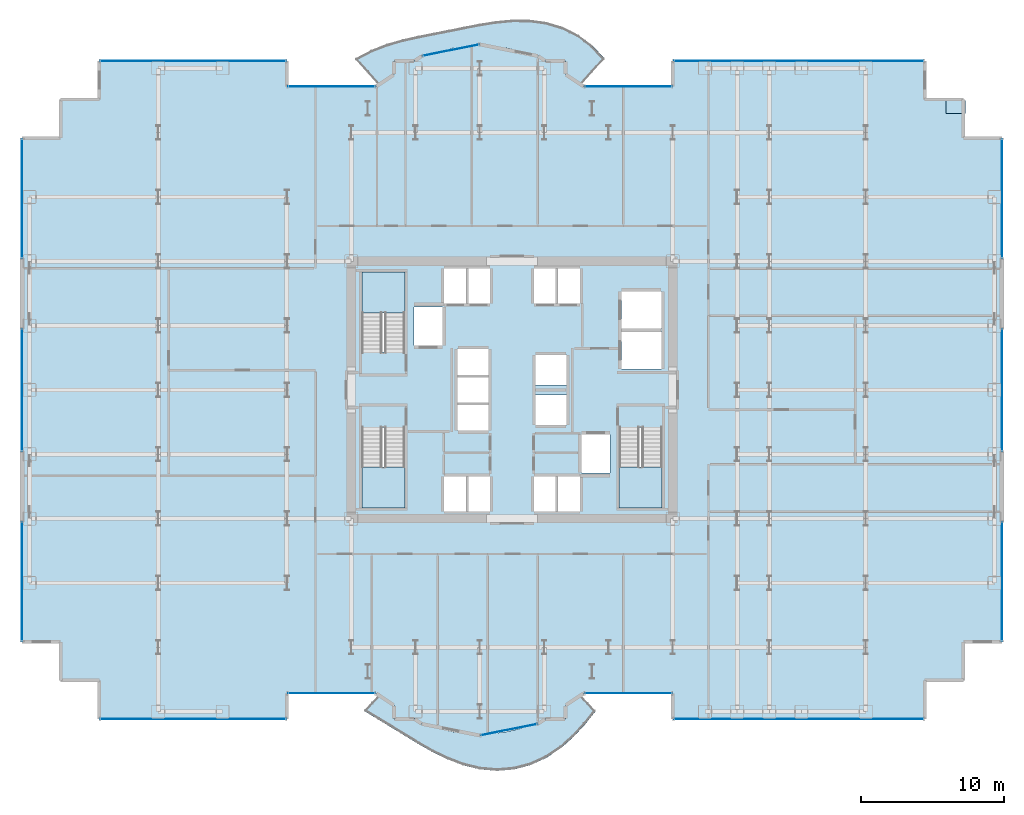
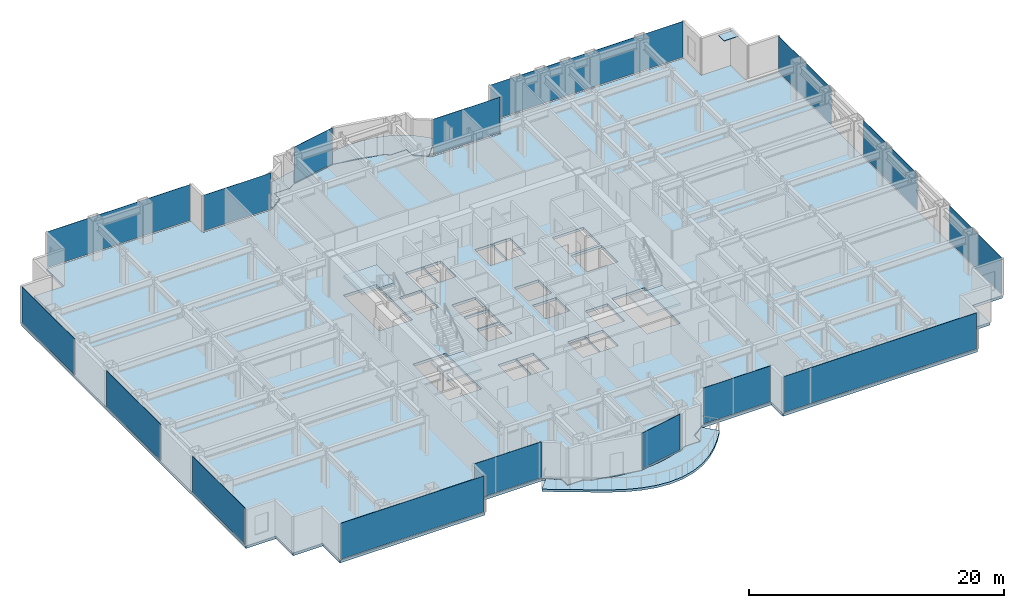
# One storey, part 20 of 29: 17 plates, 6 slabs, 19 elements without a shape of their own.
"""IFC4 building model written with IfcOpenShell, lengths in metres."""

from ifc_helpers import new_model, si_unit, direction, frame, origin, origin_2d, place, context, subcontext, project, spatial, polyline, rectangle, outline, extrude, source, transform, mapped, material, layer, layer_set, type_object, element, aggregate, save


model = new_model("IFC4")

# Units and contexts
model_context = context("Model", 3, precision=1e-05, world=origin(), true_north=direction((0.0, 1.0)))
body_context = subcontext(model_context, "Body", "Model", "MODEL_VIEW")
ifc_project = project(units=[si_unit("LENGTHUNIT", "METRE"), si_unit("AREAUNIT", "SQUARE_METRE"), si_unit("VOLUMEUNIT", "CUBIC_METRE"), si_unit("PLANEANGLEUNIT", "RADIAN"), si_unit("MASSUNIT", "GRAM", prefix="KILO")], contexts=[model_context])

# Site, building, storey
site_placement = place(None, origin())
site = spatial("IfcSite", under=ifc_project, at=site_placement, CompositionType="ELEMENT")
building_placement = place(site_placement, origin())
building = spatial("IfcBuilding", under=site, at=building_placement, Name="Nefas-Gora Pilgrimage Tower", CompositionType="ELEMENT")
storey_placement = place(building_placement, frame((0.0, 0.0, 55.800048828125)))
storey = spatial("IfcBuildingStorey", under=building, at=storey_placement, Name="L12", CompositionType="ELEMENT", Elevation=55.800048828125)

# Slabs
ifc_material_1 = material(Name="Concrete C40/50", Category="concrete")
ifc_layer_1 = layer(ifc_material_1, 0.22509765625)
ifc_layer_set_1 = layer_set([ifc_layer_1], Name="Concrete C40/50")
slab_type_1 = type_object("IfcSlabType", Name="SLB-BAL-P1", PredefinedType="FLOOR", material=ifc_layer_set_1)
slab_1_placement = place(storey_placement, frame((0.0, 0.0, -0.22509765625)))
element("IfcSlab", 1, at=slab_1_placement, inside=storey, type_object=slab_type_1, Name="L12 Sinusoidal Lobe Balcony Slab N (Phase 1)", PredefinedType="FLOOR", context=body_context, shape_type="SweptSolid", body=[
    extrude(outline(polyline([(-9.28759765625, 21.385986328125), (-9.224609375, 21.427978515625), (-8.538330078125, 21.9912109375), (-8.260009765625, 22.179931640625), (-8.260009765625, 23.02001953125), (-8.260009765625, 23.02099609375), (-8.259765625, 23.02197265625), (-8.259521484375, 23.02294921875), (-8.25927734375, 23.023681640625), (-8.2587890625, 23.024658203125), (-8.25830078125, 23.025634765625), (-8.2578125, 23.0263671875), (-8.257080078125, 23.027099609375), (-8.25634765625, 23.027587890625), (-8.255615234375, 23.0283203125), (-8.254638671875, 23.02880859375), (-8.25390625, 23.029296875), (-8.2529296875, 23.029541015625), (-8.251953125, 23.02978515625), (-8.2509765625, 23.030029296875), (-8.25, 23.030029296875), (-6.8271484375, 23.030029296875), (-6.31298828125, 23.37353515625), (-6.31201171875, 23.3740234375), (-6.311279296875, 23.37451171875), (-6.310302734375, 23.375), (-6.309326171875, 23.375), (-5.63037109375, 23.51025390625), (-5.102783203125, 23.685302734375), (-4.165283203125, 23.904052734375), (-3.211669921875, 24.035888671875), (-2.919921875, 24.04931640625), (-2.251953125, 24.18212890625), (-2.2509765625, 24.182373046875), (-2.25, 24.182373046875), (-2.2490234375, 24.182373046875), (-2.248046875, 24.18212890625), (-1.580078125, 24.04931640625), (-1.288330078125, 24.035888671875), (-0.334716796875, 23.904052734375), (0.602783203125, 23.685302734375), (1.13037109375, 23.51025390625), (1.809326171875, 23.375), (1.810302734375, 23.375), (1.811279296875, 23.37451171875), (1.81201171875, 23.3740234375), (1.81298828125, 23.37353515625), (2.3271484375, 23.030029296875), (3.75, 23.030029296875), (3.7509765625, 23.030029296875), (3.751953125, 23.02978515625), (3.7529296875, 23.029541015625), (3.75390625, 23.029296875), (3.754638671875, 23.02880859375), (3.755615234375, 23.0283203125), (3.75634765625, 23.027587890625), (3.757080078125, 23.027099609375), (3.7578125, 23.0263671875), (3.75830078125, 23.025634765625), (3.7587890625, 23.024658203125), (3.75927734375, 23.023681640625), (3.759521484375, 23.02294921875), (3.759765625, 23.02197265625), (3.760009765625, 23.02099609375), (3.760009765625, 23.02001953125), (3.760009765625, 22.179931640625), (4.038330078125, 21.9912109375), (4.724609375, 21.427978515625), (4.78759765625, 21.385986328125), (6.4453125, 23.22705078125), (5.615234375, 24.102783203125), (4.64697265625, 24.82470703125), (3.56640625, 25.364501953125), (2.41064453125, 25.711181640625), (1.22021484375, 25.87451171875), (0.031982421875, 25.882080078125), (-1.128662109375, 25.7744140625), (-2.25, 25.595947265625), (-3.335693359375, 25.38671875), (-4.400634765625, 25.17333984375), (-5.463623046875, 24.964599609375), (-6.54150390625, 24.749755859375), (-7.64111328125, 24.502197265625), (-8.754638671875, 24.184814453125), (-9.85888671875, 23.759521484375), (-10.916748046875, 23.1953125), (-9.28759765625, 21.385986328125)])), origin(), (0.0, 0.0, 1.0), 0.22509765625),
])
ifc_layer_2 = layer(ifc_material_1, 0.22998046875)
ifc_layer_set_2 = layer_set([ifc_layer_2], Name="Concrete C40/50")
slab_type_2 = type_object("IfcSlabType", Name="SLB-BAL-P5", PredefinedType="FLOOR", material=ifc_layer_set_2)
slab_2_placement = place(storey_placement, frame((0.0, 0.0, -0.22998046875)))
element("IfcSlab", 2, at=slab_2_placement, inside=storey, type_object=slab_type_2, Name="L12 Sinusoidal Lobe Balcony Slab S (Phase 5)", PredefinedType="FLOOR", context=body_context, shape_type="SweptSolid", body=[
    extrude(outline(polyline([(4.78759765625, -21.385986328125), (4.724609375, -21.427978515625), (4.038330078125, -21.9912109375), (3.760009765625, -22.179931640625), (3.760009765625, -23.02001953125), (3.760009765625, -23.02099609375), (3.759765625, -23.02197265625), (3.759521484375, -23.02294921875), (3.75927734375, -23.023681640625), (3.7587890625, -23.024658203125), (3.75830078125, -23.025634765625), (3.7578125, -23.0263671875), (3.757080078125, -23.027099609375), (3.75634765625, -23.027587890625), (3.755615234375, -23.0283203125), (3.754638671875, -23.02880859375), (3.75390625, -23.029296875), (3.7529296875, -23.029541015625), (3.751953125, -23.02978515625), (3.7509765625, -23.030029296875), (3.75, -23.030029296875), (2.3271484375, -23.030029296875), (1.81298828125, -23.37353515625), (1.81201171875, -23.3740234375), (1.811279296875, -23.37451171875), (1.810302734375, -23.375), (1.809326171875, -23.375), (1.13037109375, -23.51025390625), (0.602783203125, -23.685302734375), (-0.334716796875, -23.904052734375), (-1.288330078125, -24.035888671875), (-1.580078125, -24.04931640625), (-2.248046875, -24.18212890625), (-2.2490234375, -24.182373046875), (-2.25, -24.182373046875), (-2.2509765625, -24.182373046875), (-2.251953125, -24.18212890625), (-2.919921875, -24.04931640625), (-3.211669921875, -24.035888671875), (-4.165283203125, -23.904052734375), (-5.102783203125, -23.685302734375), (-5.63037109375, -23.51025390625), (-6.309326171875, -23.375), (-6.310302734375, -23.375), (-6.311279296875, -23.37451171875), (-6.31201171875, -23.3740234375), (-6.31298828125, -23.37353515625), (-6.8271484375, -23.030029296875), (-8.25, -23.030029296875), (-8.2509765625, -23.030029296875), (-8.251953125, -23.02978515625), (-8.2529296875, -23.029541015625), (-8.25390625, -23.029296875), (-8.254638671875, -23.02880859375), (-8.255615234375, -23.0283203125), (-8.25634765625, -23.027587890625), (-8.257080078125, -23.027099609375), (-8.2578125, -23.0263671875), (-8.25830078125, -23.025634765625), (-8.2587890625, -23.024658203125), (-8.25927734375, -23.023681640625), (-8.259521484375, -23.02294921875), (-8.259765625, -23.02197265625), (-8.260009765625, -23.02099609375), (-8.260009765625, -23.02001953125), (-8.260009765625, -22.179931640625), (-8.538330078125, -21.9912109375), (-9.224609375, -21.427978515625), (-9.28759765625, -21.385986328125), (-10.282958984375, -22.491455078125), (-9.343017578125, -23.068603515625), (-8.41552734375, -23.631103515625), (-7.49072265625, -24.197265625), (-6.548583984375, -24.768310546875), (-5.56591796875, -25.326904296875), (-4.52392578125, -25.83935546875), (-3.416015625, -26.2607421875), (-2.25, -26.5439453125), (-1.04833984375, -26.6484375), (0.1552734375, -26.548095703125), (1.322509765625, -26.23681640625), (2.417724609375, -25.729736328125), (3.416015625, -25.059814453125), (4.307861328125, -24.271240234375), (5.099365234375, -23.412109375), (5.8115234375, -22.523193359375), (4.78759765625, -21.385986328125)])), origin(), (0.0, 0.0, 1.0), 0.22998046875),
])
ifc_layer_3 = layer(ifc_material_1, 0.25)
ifc_layer_set_3 = layer_set([ifc_layer_3], Name="Concrete C40/50")
slab_type_3 = type_object("IfcSlabType", Name="SLB-TWR-250", PredefinedType="FLOOR", material=ifc_layer_set_3)
slab_3_placement = place(storey_placement, frame((0.0, 0.0, -0.25)))
element("IfcSlab", 3, at=slab_3_placement, inside=storey, type_object=slab_type_3, Name="L12 Structural Floor Slab", PredefinedType="FLOOR", context=body_context, shape_type="SweptSolid", body=[
    extrude(outline(polyline([(5.01806640625, -21.219970703125), (11.25, -21.219970703125), (11.25, -23.02001953125), (28.8701171875, -23.02001953125), (28.8701171875, -20.320068359375), (31.570068359375, -20.320068359375), (31.570068359375, -17.6201171875), (34.27001953125, -17.6201171875), (34.27001953125, 17.6201171875), (31.570068359375, 17.6201171875), (31.570068359375, 20.320068359375), (28.8701171875, 20.320068359375), (28.8701171875, 23.02001953125), (11.25, 23.02001953125), (11.25, 21.219970703125), (5.01806640625, 21.219970703125), (3.75, 22.0673828125), (3.75, 23.02001953125), (2.32421875, 23.02001953125), (1.807373046875, 23.365234375), (-2.25, 24.17236328125), (-6.307373046875, 23.365234375), (-6.82421875, 23.02001953125), (-8.25, 23.02001953125), (-8.25, 22.0673828125), (-9.51806640625, 21.219970703125), (-15.75, 21.219970703125), (-15.75, 23.02001953125), (-28.8701171875, 23.02001953125), (-28.8701171875, 20.320068359375), (-31.570068359375, 20.320068359375), (-31.570068359375, 17.6201171875), (-34.27001953125, 17.6201171875), (-34.27001953125, -17.6201171875), (-31.570068359375, -17.6201171875), (-31.570068359375, -20.320068359375), (-28.8701171875, -20.320068359375), (-28.8701171875, -23.02001953125), (-15.75, -23.02001953125), (-15.75, -21.219970703125), (-9.51806640625, -21.219970703125), (-8.25, -22.0673828125), (-8.25, -23.02001953125), (-6.82421875, -23.02001953125), (-6.307373046875, -23.365234375), (-2.25, -24.17236328125), (1.807373046875, -23.365234375), (2.32421875, -23.02001953125), (3.75, -23.02001953125), (3.75, -22.0673828125), (5.01806640625, -21.219970703125)]), holes=[polyline([(-10.5, 2.639892578125), (-10.5, 8.25), (-7.5, 8.25), (-7.5, 2.639892578125), (-10.5, 2.639892578125)]), polyline([(10.5, -2.639892578125), (10.5, -8.25), (7.5, -8.25), (7.5, -2.639892578125), (10.5, -2.639892578125)]), polyline([(-7.5, -2.639892578125), (-7.5, -8.25), (-10.5, -8.25), (-10.5, -2.639892578125), (-7.5, -2.639892578125)]), polyline([(-6.85009765625, 5.800048828125), (-4.85009765625, 5.800048828125), (-4.85009765625, 3.10009765625), (-6.85009765625, 3.10009765625), (-6.85009765625, 5.800048828125)]), polyline([(4.85009765625, -3.10009765625), (6.85009765625, -3.10009765625), (6.85009765625, -5.800048828125), (4.85009765625, -5.800048828125), (4.85009765625, -3.10009765625)]), polyline([(7.64990234375, 4.050048828125), (10.449951171875, 4.050048828125), (10.449951171875, 1.449951171875), (7.64990234375, 1.449951171875), (7.64990234375, 4.050048828125)]), polyline([(7.64990234375, 6.89990234375), (10.449951171875, 6.89990234375), (10.449951171875, 4.300048828125), (7.64990234375, 4.300048828125), (7.64990234375, 6.89990234375)]), polyline([(-4.75, 8.5), (-3.14990234375, 8.5), (-3.14990234375, 6.050048828125), (-4.75, 6.050048828125), (-4.75, 8.5)]), polyline([(-3.10009765625, 8.5), (-1.550048828125, 8.5), (-1.550048828125, 6.050048828125), (-3.10009765625, 6.050048828125), (-3.10009765625, 8.5)]), polyline([(1.550048828125, 8.5), (3.10009765625, 8.5), (3.10009765625, 6.050048828125), (1.550048828125, 6.050048828125), (1.550048828125, 8.5)]), polyline([(3.14990234375, 8.5), (4.75, 8.5), (4.75, 6.050048828125), (3.14990234375, 6.050048828125), (3.14990234375, 8.5)]), polyline([(-4.75, -6.050048828125), (-3.14990234375, -6.050048828125), (-3.14990234375, -8.5), (-4.75, -8.5), (-4.75, -6.050048828125)]), polyline([(-3.10009765625, -6.050048828125), (-1.550048828125, -6.050048828125), (-1.550048828125, -8.5), (-3.10009765625, -8.5), (-3.10009765625, -6.050048828125)]), polyline([(1.550048828125, -6.050048828125), (3.10009765625, -6.050048828125), (3.10009765625, -8.5), (1.550048828125, -8.5), (1.550048828125, -6.050048828125)]), polyline([(3.14990234375, -6.050048828125), (4.75, -6.050048828125), (4.75, -8.5), (3.14990234375, -8.5), (3.14990234375, -6.050048828125)]), polyline([(-3.800048828125, -1.050048828125), (-1.64990234375, -1.050048828125), (-1.64990234375, -2.85009765625), (-3.800048828125, -2.85009765625), (-3.800048828125, -1.050048828125)]), polyline([(-3.800048828125, 0.89990234375), (-1.64990234375, 0.89990234375), (-1.64990234375, -0.89990234375), (-3.800048828125, -0.89990234375), (-3.800048828125, 0.89990234375)]), polyline([(-3.800048828125, 2.85009765625), (-1.64990234375, 2.85009765625), (-1.64990234375, 1.050048828125), (-3.800048828125, 1.050048828125), (-3.800048828125, 2.85009765625)]), polyline([(1.64990234375, -0.35009765625), (3.800048828125, -0.35009765625), (3.800048828125, -2.449951171875), (1.64990234375, -2.449951171875), (1.64990234375, -0.35009765625)]), polyline([(1.64990234375, 2.449951171875), (3.800048828125, 2.449951171875), (3.800048828125, 0.35009765625), (1.64990234375, 0.35009765625), (1.64990234375, 2.449951171875)])]), origin(), (0.0, 0.0, 1.0), 0.25),
])

# Stair, slab
ifc_material_2 = material(Name="Concrete C45/55", Category="concrete")
stair_type = type_object("IfcStairType", Name="STR-1400-R1727", PredefinedType="HALF_TURN_STAIR", material=ifc_material_2)
stair_1_placement = place(storey_placement, origin())
stair_1 = element("IfcStair", 4, at=stair_1_placement, inside=storey, type_object=stair_type, Name="L12 Pressurised Tower Exit Stair ST-01", PredefinedType="HALF_TURN_STAIR")
ifc_layer_4 = layer(ifc_material_1, 0.199951171875)
ifc_layer_set_4 = layer_set([ifc_layer_4], Name="Concrete C40/50")
slab_type_4 = type_object("IfcSlabType", Name="STR-LAND-200", PredefinedType="LANDING", material=ifc_layer_set_4)
slab_4_placement = place(storey_placement, frame((0.0, 0.0, 1.699951171875)))
slab_4 = element("IfcSlab", 5, at=slab_4_placement, type_object=slab_type_4, Name="ST-01 landing 1", PredefinedType="LANDING", context=body_context, shape_type="SweptSolid", body=[
    extrude(outline(polyline([(-7.5, 5.39990234375), (-7.5, 8.25), (-10.5, 8.25), (-10.5, 5.39990234375), (-7.5, 5.39990234375)])), origin(), (0.0, 0.0, 1.0), 0.199951171875),
])
aggregate(stair_1, [slab_4])

stair_2_placement = place(storey_placement, origin())
stair_2 = element("IfcStair", 6, at=stair_2_placement, inside=storey, type_object=stair_type, Name="L12 Pressurised Tower Exit Stair ST-02", PredefinedType="HALF_TURN_STAIR")
slab_5_placement = place(storey_placement, frame((0.0, 0.0, 1.699951171875)))
slab_5 = element("IfcSlab", 7, at=slab_5_placement, type_object=slab_type_4, Name="ST-02 landing 1", PredefinedType="LANDING", context=body_context, shape_type="SweptSolid", body=[
    extrude(outline(polyline([(7.5, -5.39990234375), (7.5, -8.25), (10.5, -8.25), (10.5, -5.39990234375), (7.5, -5.39990234375)])), origin(), (0.0, 0.0, 1.0), 0.199951171875),
])
aggregate(stair_2, [slab_5])

stair_3_placement = place(storey_placement, origin())
stair_3 = element("IfcStair", 8, at=stair_3_placement, inside=storey, type_object=stair_type, Name="L12 Pressurised Tower Exit Stair ST-03", PredefinedType="HALF_TURN_STAIR")
slab_6_placement = place(storey_placement, frame((0.0, 0.0, 1.699951171875)))
slab_6 = element("IfcSlab", 9, at=slab_6_placement, type_object=slab_type_4, Name="ST-03 landing 1", PredefinedType="LANDING", context=body_context, shape_type="SweptSolid", body=[
    extrude(outline(polyline([(-10.5, -5.39990234375), (-10.5, -8.25), (-7.5, -8.25), (-7.5, -5.39990234375), (-10.5, -5.39990234375)])), origin(), (0.0, 0.0, 1.0), 0.199951171875),
])
aggregate(stair_3, [slab_6])

# Plate
ifc_material_3 = material(Name="Steel S355", Category="steel")
ifc_layer_5 = layer(ifc_material_3, 0.053955078125)
ifc_layer_set_5 = layer_set([ifc_layer_5], Name="Steel S355")
plate_type_1 = type_object("IfcPlateType", Name="PLT-NODE-N10", PredefinedType="USERDEFINED", material=ifc_layer_set_5)
shared_shape_1 = source(origin(), body_context, "Body", "SweptSolid", [
    extrude(rectangle(XDim=1.35009765625, YDim=0.89990234375, at=origin_2d()), origin(), (0.0, 0.0, 1.0), 0.0419921875),
])
plate_1_placement = place(storey_placement, frame((31.050048828125, 19.800048828125, 3.279052734375), z_axis=(0.0, 0.0, 1.0), x_axis=(1.0, 0.0, 0.0)))
element("IfcPlate", 10, at=plate_1_placement, inside=storey, type_object=plate_type_1, Name="Structural Node Gusset Plate N10 (L12)", ObjectType="GUSSET_PLATE", PredefinedType="USERDEFINED", context=body_context, shape_type="MappedRepresentation", body=[
    mapped(shared_shape_1, transform((0.0, 0.0, 0.0), x_axis=(1.0, 0.0, 0.0), y_axis=(0.0, 1.0, 0.0), z_axis=(0.0, 0.0, 1.0), scale=1.0)),
])

# Curtain wall, plate
ifc_material_4 = material(Name="Dark ceramic-fritted solar-control aluminium-glass curtain wall", Category="aluminium")
ifc_layer_6 = layer(ifc_material_4, 0.219970703125)
ifc_layer_set_6 = layer_set([ifc_layer_6], Name="Dark ceramic-fritted solar-control aluminium-glass curtain wall")
curtain_wall_type_1 = type_object("IfcCurtainWallType", Name="CW-SYS-5", PredefinedType="NOTDEFINED", material=ifc_layer_set_6)
curtain_wall_1_placement = place(storey_placement, origin())
curtain_wall_1 = element("IfcCurtainWall", 11, at=curtain_wall_1_placement, inside=storey, type_object=curtain_wall_type_1, Name="L12 Unitised Curtain Wall CW5", PredefinedType="NOTDEFINED")
ifc_material_5 = material(Name="Dark ceramic-printed low-e insulated glass", Category="glass")
ifc_layer_7 = layer(ifc_material_5, 0.028076171875)
ifc_layer_set_7 = layer_set([ifc_layer_7], Name="Dark ceramic-printed low-e insulated glass")
plate_type_2 = type_object("IfcPlateType", Name="CWP-PNL-5", PredefinedType="CURTAIN_PANEL", material=ifc_layer_set_7)
shared_shape_2 = source(origin(), body_context, "Body", "SweptSolid", [
    extrude(rectangle(XDim=6.052001953125, YDim=0.028076171875, at=origin_2d()), origin(), (0.0, 0.0, 1.0), 3.43994140625),
])
plate_2_placement = place(storey_placement, frame((8.134033203125, -21.219970703125, 0.10009765625), z_axis=(0.0, 0.0, 1.0), x_axis=(1.0, 0.0, 0.0)))
plate_2 = element("IfcPlate", 12, at=plate_2_placement, type_object=plate_type_2, Name="CW5 Ceramic-Fritted Glazing Panel 1", PredefinedType="CURTAIN_PANEL", context=body_context, shape_type="MappedRepresentation", body=[
    mapped(shared_shape_2, transform((0.0, 0.0, 0.0), x_axis=(1.0, 0.0, 0.0), y_axis=(0.0, 1.0, 0.0), z_axis=(0.0, 0.0, 1.0), scale=1.0)),
])
aggregate(curtain_wall_1, [plate_2])

curtain_wall_2_placement = place(storey_placement, origin())
curtain_wall_2 = element("IfcCurtainWall", 13, at=curtain_wall_2_placement, inside=storey, type_object=curtain_wall_type_1, Name="L12 Unitised Curtain Wall CW5", PredefinedType="NOTDEFINED")
plate_3_placement = place(storey_placement, frame((8.134033203125, 21.219970703125, 0.10009765625), z_axis=(0.0, 0.0, 1.0), x_axis=(-1.0, 0.0, 0.0)))
plate_3 = element("IfcPlate", 14, at=plate_3_placement, type_object=plate_type_2, Name="CW5 Ceramic-Fritted Glazing Panel 1", PredefinedType="CURTAIN_PANEL", context=body_context, shape_type="MappedRepresentation", body=[
    mapped(shared_shape_2, transform((0.0, 0.0, 0.0), x_axis=(1.0, 0.0, 0.0), y_axis=(0.0, 1.0, 0.0), z_axis=(0.0, 0.0, 1.0), scale=1.0)),
])
aggregate(curtain_wall_2, [plate_3])

curtain_wall_3_placement = place(storey_placement, origin())
curtain_wall_3 = element("IfcCurtainWall", 15, at=curtain_wall_3_placement, inside=storey, type_object=curtain_wall_type_1, Name="L12 Unitised Curtain Wall CW5", PredefinedType="NOTDEFINED")
plate_4_placement = place(storey_placement, frame((-12.634033203125, 21.219970703125, 0.10009765625), z_axis=(0.0, 0.0, 1.0), x_axis=(-1.0, 0.0, 0.0)))
plate_4 = element("IfcPlate", 16, at=plate_4_placement, type_object=plate_type_2, Name="CW5 Ceramic-Fritted Glazing Panel 1", PredefinedType="CURTAIN_PANEL", context=body_context, shape_type="MappedRepresentation", body=[
    mapped(shared_shape_2, transform((0.0, 0.0, 0.0), x_axis=(1.0, 0.0, 0.0), y_axis=(0.0, 1.0, 0.0), z_axis=(0.0, 0.0, 1.0), scale=1.0)),
])
aggregate(curtain_wall_3, [plate_4])

curtain_wall_4_placement = place(storey_placement, origin())
curtain_wall_4 = element("IfcCurtainWall", 17, at=curtain_wall_4_placement, inside=storey, type_object=curtain_wall_type_1, Name="L12 Unitised Curtain Wall CW5", PredefinedType="NOTDEFINED")
plate_5_placement = place(storey_placement, frame((-12.634033203125, -21.219970703125, 0.10009765625), z_axis=(0.0, 0.0, 1.0), x_axis=(1.0, 0.0, 0.0)))
plate_5 = element("IfcPlate", 18, at=plate_5_placement, type_object=plate_type_2, Name="CW5 Ceramic-Fritted Glazing Panel 1", PredefinedType="CURTAIN_PANEL", context=body_context, shape_type="MappedRepresentation", body=[
    mapped(shared_shape_2, transform((0.0, 0.0, 0.0), x_axis=(1.0, 0.0, 0.0), y_axis=(0.0, 1.0, 0.0), z_axis=(0.0, 0.0, 1.0), scale=1.0)),
])
aggregate(curtain_wall_4, [plate_5])

ifc_layer_8 = layer(ifc_material_4, 0.219970703125)
ifc_layer_set_8 = layer_set([ifc_layer_8], Name="Dark ceramic-fritted solar-control aluminium-glass curtain wall")
curtain_wall_type_2 = type_object("IfcCurtainWallType", Name="CW-SYS-2", PredefinedType="NOTDEFINED", material=ifc_layer_set_8)
curtain_wall_5_placement = place(storey_placement, origin())
curtain_wall_5 = element("IfcCurtainWall", 19, at=curtain_wall_5_placement, inside=storey, type_object=curtain_wall_type_2, Name="L12 Unitised Curtain Wall CW2", PredefinedType="NOTDEFINED")
ifc_layer_9 = layer(ifc_material_5, 0.031982421875)
ifc_layer_set_9 = layer_set([ifc_layer_9], Name="Dark ceramic-printed low-e insulated glass")
plate_type_3 = type_object("IfcPlateType", Name="CWP-PNL-2", PredefinedType="CURTAIN_PANEL", material=ifc_layer_set_9)
shared_shape_3 = source(origin(), body_context, "Body", "SweptSolid", [
    extrude(rectangle(XDim=17.43994140625, YDim=0.031982421875, at=origin_2d()), origin(), (0.0, 0.0, 1.0), 3.43994140625),
])
plate_6_placement = place(storey_placement, frame((20.06005859375, -23.02001953125, 0.10009765625), z_axis=(0.0, 0.0, 1.0), x_axis=(1.0, 0.0, 0.0)))
plate_6 = element("IfcPlate", 20, at=plate_6_placement, type_object=plate_type_3, Name="CW2 Ceramic-Fritted Glazing Panel 1", PredefinedType="CURTAIN_PANEL", context=body_context, shape_type="MappedRepresentation", body=[
    mapped(shared_shape_3, transform((0.0, 0.0, 0.0), x_axis=(1.0, 0.0, 0.0), y_axis=(0.0, 1.0, 0.0), z_axis=(0.0, 0.0, 1.0), scale=1.0)),
])
aggregate(curtain_wall_5, [plate_6])

curtain_wall_6_placement = place(storey_placement, origin())
curtain_wall_6 = element("IfcCurtainWall", 21, at=curtain_wall_6_placement, inside=storey, type_object=curtain_wall_type_2, Name="L12 Unitised Curtain Wall CW2", PredefinedType="NOTDEFINED")
plate_7_placement = place(storey_placement, frame((20.06005859375, 23.02001953125, 0.10009765625), z_axis=(0.0, 0.0, 1.0), x_axis=(-1.0, 0.0, 0.0)))
plate_7 = element("IfcPlate", 22, at=plate_7_placement, type_object=plate_type_3, Name="CW2 Ceramic-Fritted Glazing Panel 1", PredefinedType="CURTAIN_PANEL", context=body_context, shape_type="MappedRepresentation", body=[
    mapped(shared_shape_3, transform((0.0, 0.0, 0.0), x_axis=(1.0, 0.0, 0.0), y_axis=(0.0, 1.0, 0.0), z_axis=(0.0, 0.0, 1.0), scale=1.0)),
])
aggregate(curtain_wall_6, [plate_7])

curtain_wall_7_placement = place(storey_placement, origin())
curtain_wall_7 = element("IfcCurtainWall", 23, at=curtain_wall_7_placement, inside=storey, type_object=curtain_wall_type_2, Name="L12 Unitised Curtain Wall CW2", PredefinedType="NOTDEFINED")
shared_shape_4 = source(origin(), body_context, "Body", "SweptSolid", [
    extrude(rectangle(XDim=8.2900390625, YDim=0.031982421875, at=origin_2d()), origin(), (0.0, 0.0, 1.0), 3.43994140625),
])
plate_8_placement = place(storey_placement, frame((34.27001953125, -13.385009765625, 0.10009765625), z_axis=(0.0, 0.0, 1.0), x_axis=(0.0, 1.0, 0.0)))
plate_8 = element("IfcPlate", 24, at=plate_8_placement, type_object=plate_type_3, Name="CW2 Ceramic-Fritted Glazing Panel 1", PredefinedType="CURTAIN_PANEL", context=body_context, shape_type="MappedRepresentation", body=[
    mapped(shared_shape_4, transform((0.0, 0.0, 0.0), x_axis=(1.0, 0.0, 0.0), y_axis=(0.0, 1.0, 0.0), z_axis=(0.0, 0.0, 1.0), scale=1.0)),
])
aggregate(curtain_wall_7, [plate_8])

curtain_wall_8_placement = place(storey_placement, origin())
curtain_wall_8 = element("IfcCurtainWall", 25, at=curtain_wall_8_placement, inside=storey, type_object=curtain_wall_type_2, Name="L12 Unitised Curtain Wall CW2", PredefinedType="NOTDEFINED")
plate_9_placement = place(storey_placement, frame((34.27001953125, 13.385009765625, 0.10009765625), z_axis=(0.0, 0.0, 1.0), x_axis=(0.0, 1.0, 0.0)))
plate_9 = element("IfcPlate", 26, at=plate_9_placement, type_object=plate_type_3, Name="CW2 Ceramic-Fritted Glazing Panel 1", PredefinedType="CURTAIN_PANEL", context=body_context, shape_type="MappedRepresentation", body=[
    mapped(shared_shape_4, transform((0.0, 0.0, 0.0), x_axis=(1.0, 0.0, 0.0), y_axis=(0.0, 1.0, 0.0), z_axis=(0.0, 0.0, 1.0), scale=1.0)),
])
aggregate(curtain_wall_8, [plate_9])

curtain_wall_9_placement = place(storey_placement, origin())
curtain_wall_9 = element("IfcCurtainWall", 27, at=curtain_wall_9_placement, inside=storey, type_object=curtain_wall_type_2, Name="L12 Unitised Curtain Wall CW2", PredefinedType="NOTDEFINED")
plate_10_placement = place(storey_placement, frame((-34.27001953125, 13.385009765625, 0.10009765625), z_axis=(0.0, 0.0, 1.0), x_axis=(0.0, -1.0, 0.0)))
plate_10 = element("IfcPlate", 28, at=plate_10_placement, type_object=plate_type_3, Name="CW2 Ceramic-Fritted Glazing Panel 1", PredefinedType="CURTAIN_PANEL", context=body_context, shape_type="MappedRepresentation", body=[
    mapped(shared_shape_4, transform((0.0, 0.0, 0.0), x_axis=(1.0, 0.0, 0.0), y_axis=(0.0, 1.0, 0.0), z_axis=(0.0, 0.0, 1.0), scale=1.0)),
])
aggregate(curtain_wall_9, [plate_10])

curtain_wall_10_placement = place(storey_placement, origin())
curtain_wall_10 = element("IfcCurtainWall", 29, at=curtain_wall_10_placement, inside=storey, type_object=curtain_wall_type_2, Name="L12 Unitised Curtain Wall CW2", PredefinedType="NOTDEFINED")
plate_11_placement = place(storey_placement, frame((-34.27001953125, -13.385009765625, 0.10009765625), z_axis=(0.0, 0.0, 1.0), x_axis=(0.0, -1.0, 0.0)))
plate_11 = element("IfcPlate", 30, at=plate_11_placement, type_object=plate_type_3, Name="CW2 Ceramic-Fritted Glazing Panel 1", PredefinedType="CURTAIN_PANEL", context=body_context, shape_type="MappedRepresentation", body=[
    mapped(shared_shape_4, transform((0.0, 0.0, 0.0), x_axis=(1.0, 0.0, 0.0), y_axis=(0.0, 1.0, 0.0), z_axis=(0.0, 0.0, 1.0), scale=1.0)),
])
aggregate(curtain_wall_10, [plate_11])

curtain_wall_11_placement = place(storey_placement, origin())
curtain_wall_11 = element("IfcCurtainWall", 31, at=curtain_wall_11_placement, inside=storey, type_object=curtain_wall_type_2, Name="L12 Unitised Curtain Wall CW2", PredefinedType="NOTDEFINED")
shared_shape_5 = source(origin(), body_context, "Body", "SweptSolid", [
    extrude(rectangle(XDim=8.52001953125, YDim=0.031982421875, at=origin_2d()), origin(), (0.0, 0.0, 1.0), 3.43994140625),
])
plate_12_placement = place(storey_placement, frame((34.27001953125, 0.0, 0.10009765625), z_axis=(0.0, 0.0, 1.0), x_axis=(0.0, 1.0, 0.0)))
plate_12 = element("IfcPlate", 32, at=plate_12_placement, type_object=plate_type_3, Name="CW2 Ceramic-Fritted Glazing Panel 1", PredefinedType="CURTAIN_PANEL", context=body_context, shape_type="MappedRepresentation", body=[
    mapped(shared_shape_5, transform((0.0, 0.0, 0.0), x_axis=(1.0, 0.0, 0.0), y_axis=(0.0, 1.0, 0.0), z_axis=(0.0, 0.0, 1.0), scale=1.0)),
])
aggregate(curtain_wall_11, [plate_12])

curtain_wall_12_placement = place(storey_placement, origin())
curtain_wall_12 = element("IfcCurtainWall", 33, at=curtain_wall_12_placement, inside=storey, type_object=curtain_wall_type_2, Name="L12 Unitised Curtain Wall CW2", PredefinedType="NOTDEFINED")
plate_13_placement = place(storey_placement, frame((-34.27001953125, 0.0, 0.10009765625), z_axis=(0.0, 0.0, 1.0), x_axis=(0.0, -1.0, 0.0)))
plate_13 = element("IfcPlate", 34, at=plate_13_placement, type_object=plate_type_3, Name="CW2 Ceramic-Fritted Glazing Panel 1", PredefinedType="CURTAIN_PANEL", context=body_context, shape_type="MappedRepresentation", body=[
    mapped(shared_shape_5, transform((0.0, 0.0, 0.0), x_axis=(1.0, 0.0, 0.0), y_axis=(0.0, 1.0, 0.0), z_axis=(0.0, 0.0, 1.0), scale=1.0)),
])
aggregate(curtain_wall_12, [plate_13])

curtain_wall_13_placement = place(storey_placement, origin())
curtain_wall_13 = element("IfcCurtainWall", 35, at=curtain_wall_13_placement, inside=storey, type_object=curtain_wall_type_1, Name="L12 Unitised Curtain Wall CW5", PredefinedType="NOTDEFINED")
shared_shape_6 = source(origin(), body_context, "Body", "SweptSolid", [
    extrude(rectangle(XDim=3.956787109375, YDim=0.028076171875, at=origin_2d()), origin(), (0.0, 0.0, 1.0), 3.43994140625),
])
plate_14_placement = place(storey_placement, frame((-4.278564453125, 23.768798828125, 0.10009765625), z_axis=(0.0, 0.0, 1.0), x_axis=(-0.980782896852, -0.195102304554, 0.0)))
plate_14 = element("IfcPlate", 36, at=plate_14_placement, type_object=plate_type_2, Name="CW5 Ceramic-Fritted Glazing Panel 1", PredefinedType="CURTAIN_PANEL", context=body_context, shape_type="MappedRepresentation", body=[
    mapped(shared_shape_6, transform((0.0, 0.0, 0.0), x_axis=(1.0, 0.0, 0.0), y_axis=(0.0, 1.0, 0.0), z_axis=(0.0, 0.0, 1.0), scale=1.0)),
])
aggregate(curtain_wall_13, [plate_14])

curtain_wall_14_placement = place(storey_placement, origin())
curtain_wall_14 = element("IfcCurtainWall", 37, at=curtain_wall_14_placement, inside=storey, type_object=curtain_wall_type_1, Name="L12 Unitised Curtain Wall CW5", PredefinedType="NOTDEFINED")
plate_15_placement = place(storey_placement, frame((-0.221435546875, -23.768798828125, 0.10009765625), z_axis=(0.0, 0.0, 1.0), x_axis=(0.980782896852, 0.195102304554, 0.0)))
plate_15 = element("IfcPlate", 38, at=plate_15_placement, type_object=plate_type_2, Name="CW5 Ceramic-Fritted Glazing Panel 1", PredefinedType="CURTAIN_PANEL", context=body_context, shape_type="MappedRepresentation", body=[
    mapped(shared_shape_6, transform((0.0, 0.0, 0.0), x_axis=(1.0, 0.0, 0.0), y_axis=(0.0, 1.0, 0.0), z_axis=(0.0, 0.0, 1.0), scale=1.0)),
])
aggregate(curtain_wall_14, [plate_15])

curtain_wall_15_placement = place(storey_placement, origin())
curtain_wall_15 = element("IfcCurtainWall", 39, at=curtain_wall_15_placement, inside=storey, type_object=curtain_wall_type_2, Name="L12 Unitised Curtain Wall CW2", PredefinedType="NOTDEFINED")
shared_shape_7 = source(origin(), body_context, "Body", "SweptSolid", [
    extrude(rectangle(XDim=12.93994140625, YDim=0.031982421875, at=origin_2d()), origin(), (0.0, 0.0, 1.0), 3.43994140625),
])
plate_16_placement = place(storey_placement, frame((-22.31005859375, 23.02001953125, 0.10009765625), z_axis=(0.0, 0.0, 1.0), x_axis=(-1.0, 0.0, 0.0)))
plate_16 = element("IfcPlate", 40, at=plate_16_placement, type_object=plate_type_3, Name="CW2 Ceramic-Fritted Glazing Panel 1", PredefinedType="CURTAIN_PANEL", context=body_context, shape_type="MappedRepresentation", body=[
    mapped(shared_shape_7, transform((0.0, 0.0, 0.0), x_axis=(1.0, 0.0, 0.0), y_axis=(0.0, 1.0, 0.0), z_axis=(0.0, 0.0, 1.0), scale=1.0)),
])
aggregate(curtain_wall_15, [plate_16])

curtain_wall_16_placement = place(storey_placement, origin())
curtain_wall_16 = element("IfcCurtainWall", 41, at=curtain_wall_16_placement, inside=storey, type_object=curtain_wall_type_2, Name="L12 Unitised Curtain Wall CW2", PredefinedType="NOTDEFINED")
plate_17_placement = place(storey_placement, frame((-22.31005859375, -23.02001953125, 0.10009765625), z_axis=(0.0, 0.0, 1.0), x_axis=(1.0, 0.0, 0.0)))
plate_17 = element("IfcPlate", 42, at=plate_17_placement, type_object=plate_type_3, Name="CW2 Ceramic-Fritted Glazing Panel 1", PredefinedType="CURTAIN_PANEL", context=body_context, shape_type="MappedRepresentation", body=[
    mapped(shared_shape_7, transform((0.0, 0.0, 0.0), x_axis=(1.0, 0.0, 0.0), y_axis=(0.0, 1.0, 0.0), z_axis=(0.0, 0.0, 1.0), scale=1.0)),
])
aggregate(curtain_wall_16, [plate_17])

save(model, "model.ifc")
